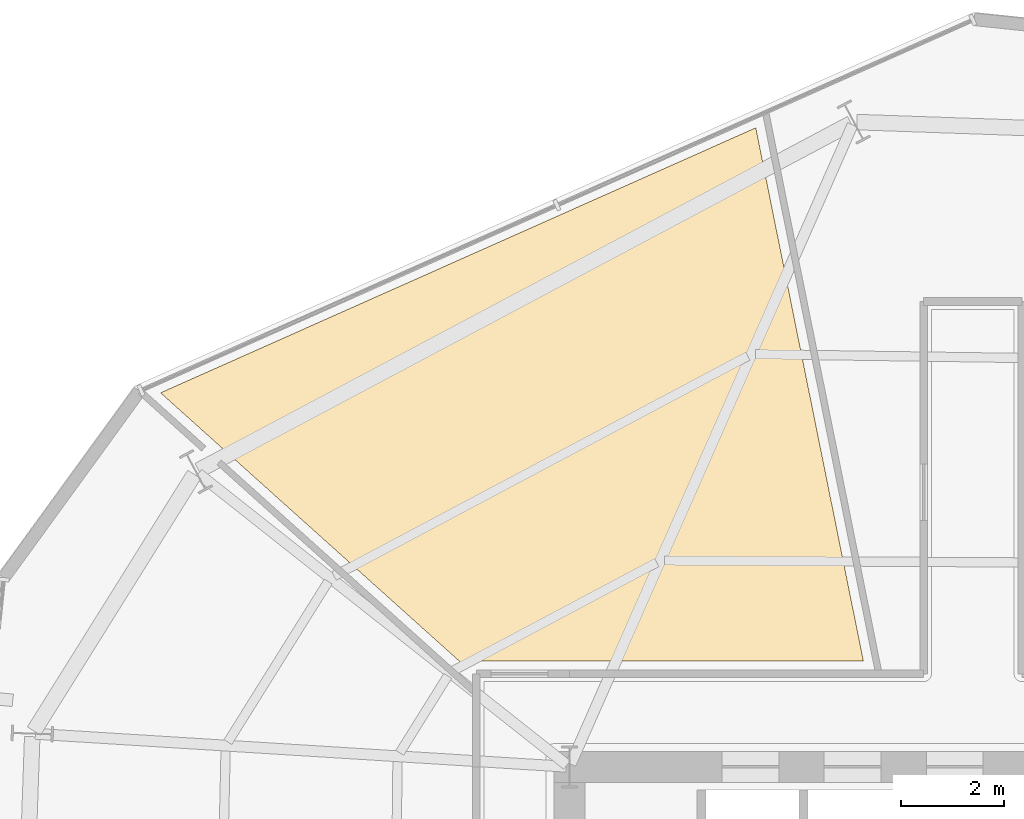
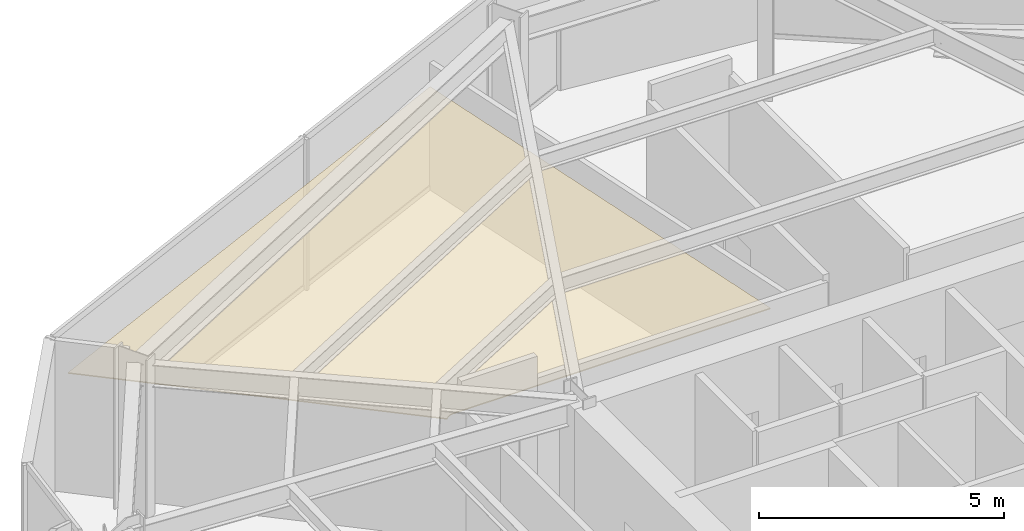
# One storey, part 13 of 13: 1 covering.
"""IFC4 building model written with IfcOpenShell, lengths in metres."""

from ifc_helpers import new_model, si_unit, direction, frame, origin, place, context, subcontext, project, spatial, polyline, outline, extrude, material, layer, layer_set, type_object, element, save


model = new_model("IFC4")

# Units and contexts
model_context = context("Model", 3, precision=1e-05, world=origin(), true_north=direction((0.0, 1.0)))
body_context = subcontext(model_context, "Body", "Model", "MODEL_VIEW")
ifc_project = project(units=[si_unit("LENGTHUNIT", "METRE"), si_unit("AREAUNIT", "SQUARE_METRE"), si_unit("VOLUMEUNIT", "CUBIC_METRE"), si_unit("PLANEANGLEUNIT", "RADIAN"), si_unit("MASSUNIT", "GRAM", prefix="KILO")], contexts=[model_context])

# Site, building, storey
site_placement = place(None, origin())
site = spatial("IfcSite", under=ifc_project, at=site_placement, CompositionType="ELEMENT")
building_placement = place(site_placement, origin())
building = spatial("IfcBuilding", under=site, at=building_placement, Name="Kranzbogen Civic Tower", CompositionType="ELEMENT")
storey_placement = place(building_placement, frame((0.0, 0.0, 118.39990234375)))
storey = spatial("IfcBuildingStorey", under=building, at=storey_placement, Name="L28", CompositionType="ELEMENT", Elevation=118.39990234375)

# Covering
ifc_material = material(Name="Perforated Acoustic Gypsum Ceiling")
ifc_layer = layer(ifc_material, 0.02490234375, Name="Perforated Acoustic Gypsum Ceiling")
ifc_layer_set = layer_set([ifc_layer], Name="Perforated Acoustic Gypsum Ceiling")
covering_type = type_object("IfcCoveringType", Name="Perforated Acoustic Mineral Ceiling Tile 25 mm", PredefinedType="CEILING", material=ifc_layer_set)
covering_placement = place(storey_placement, frame((0.0, 0.0, 2.75)))
element("IfcCovering", 1, at=covering_placement, inside=storey, type_object=covering_type, Name="L28 Refreshment Galley Pantry acoustic ceiling", PredefinedType="CEILING", context=body_context, shape_type="SweptSolid", body=[
    extrude(outline(polyline([(9.29296875, 39.43408203125), (20.802978515625, 44.55908203125), (22.885009765625, 34.2451171875), (15.39990234375, 34.2451171875), (15.39111328125, 34.2451171875), (15.385009765625, 34.243896484375), (15.366943359375, 34.242919921875), (15.361083984375, 34.241943359375), (15.343994140625, 34.238037109375), (15.3369140625, 34.237060546875), (15.320068359375, 34.23193359375), (15.31396484375, 34.22998046875), (15.298095703125, 34.222900390625), (15.2919921875, 34.219970703125), (15.277099609375, 34.2119140625), (15.27099609375, 34.2080078125), (15.257080078125, 34.198974609375), (15.251953125, 34.195068359375), (15.238037109375, 34.18408203125), (15.23291015625, 34.178955078125), (15.220947265625, 34.1669921875), (15.216064453125, 34.162109375), (15.205078125, 34.14794921875), (15.200927734375, 34.14306640625), (15.195068359375, 34.134033203125), (9.29296875, 39.43408203125)])), origin(), (0.0, 0.0, 1.0), 0.025146484375),
])

save(model, "model.ifc")
